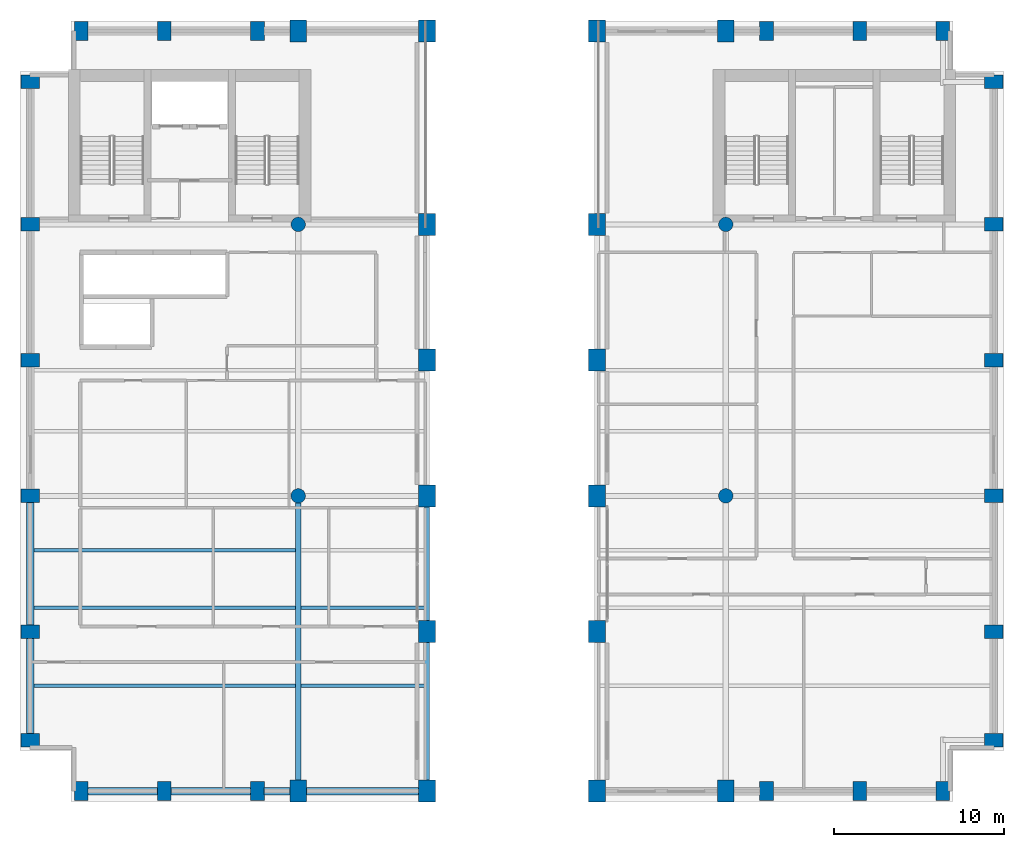
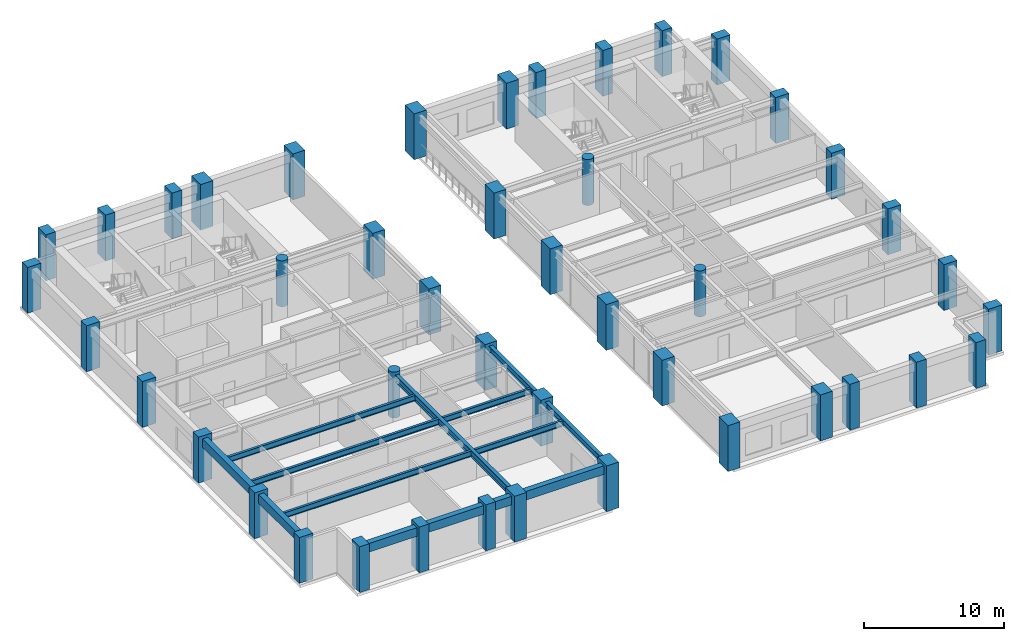
# One storey, part 1 of 10: 44 columns, 13 beams.
"""IFC4 building model written with IfcOpenShell, lengths in metres."""

from ifc_helpers import new_model, si_unit, direction, frame, origin, origin_2d, place, context, subcontext, project, spatial, rectangle, circle, i_section, extrude, material, material_profile, profile_set, type_object, element, save


model = new_model("IFC4")

# Units and contexts
model_context = context("Model", 3, precision=1e-05, world=origin(), true_north=direction((0.0, 1.0)))
body_context = subcontext(model_context, "Body", "Model", "MODEL_VIEW")
ifc_project = project(units=[si_unit("LENGTHUNIT", "METRE"), si_unit("AREAUNIT", "SQUARE_METRE"), si_unit("VOLUMEUNIT", "CUBIC_METRE"), si_unit("PLANEANGLEUNIT", "RADIAN"), si_unit("MASSUNIT", "GRAM", prefix="KILO")], contexts=[model_context])

# Site, building, storey
site_placement = place(None, origin())
site = spatial("IfcSite", under=ifc_project, at=site_placement, CompositionType="ELEMENT")
building_placement = place(site_placement, origin())
building = spatial("IfcBuilding", under=site, at=building_placement, Name="Sulina Concourse Tower", CompositionType="ELEMENT")
storey_placement = place(building_placement, frame((0.0, 0.0, 190.60009765625)))
storey = spatial("IfcBuildingStorey", under=building, at=storey_placement, Name="L46", CompositionType="ELEMENT", Elevation=190.60009765625)

# Columns
ifc_material_1 = material(Name="Precast concrete C60/75", Category="concrete")
ifc_material_profile_1 = material_profile(ifc_material_1, rectangle(XDim=0.800048828125, YDim=1.10009765625, at=origin_2d()), Name="PC 800x1100")
ifc_profile_set_1 = profile_set([ifc_material_profile_1], Name="Precast concrete C60/75")
column_type_1 = type_object("IfcColumnType", Name="Precast Tube Pier Zone 3 800x1100", PredefinedType="COLUMN", material=ifc_profile_set_1)
for number, where, z_axis, x_axis, name in (
    (1, (3.60009765625, 0.60009765625, 0.0), (0.0, 0.0, 1.0), (1.0, 0.0, 0.0), "L46 structural column TP-S-36"),
    (2, (3.60009765625, 45.39990234375, 0.0), (0.0, 0.0, 1.0), (1.0, 0.0, 0.0), "L46 structural column TP-N-36"),
    (3, (8.5, 0.60009765625, 0.0), (0.0, 0.0, 1.0), (1.0, 0.0, 0.0), "L46 structural column TP-S-85"),
    (4, (8.5, 45.39990234375, 0.0), (0.0, 0.0, 1.0), (1.0, 0.0, 0.0), "L46 structural column TP-N-85"),
    (5, (14.0, 0.60009765625, 0.0), (0.0, 0.0, 1.0), (1.0, 0.0, 0.0), "L46 structural column TP-S-140"),
    (6, (14.0, 45.39990234375, 0.0), (0.0, 0.0, 1.0), (1.0, 0.0, 0.0), "L46 structural column TP-N-140"),
    (7, (44.0, 0.60009765625, 0.0), (0.0, 0.0, 1.0), (1.0, 0.0, 0.0), "L46 structural column TP-S-440"),
    (8, (44.0, 45.39990234375, 0.0), (0.0, 0.0, 1.0), (1.0, 0.0, 0.0), "L46 structural column TP-N-440"),
    (9, (49.5, 0.60009765625, 0.0), (0.0, 0.0, 1.0), (1.0, 0.0, 0.0), "L46 structural column TP-S-495"),
    (10, (49.5, 45.39990234375, 0.0), (0.0, 0.0, 1.0), (1.0, 0.0, 0.0), "L46 structural column TP-N-495"),
    (11, (54.39990234375, 0.60009765625, 0.0), (0.0, 0.0, 1.0), (1.0, 0.0, 0.0), "L46 structural column TP-S-544"),
    (12, (54.39990234375, 45.39990234375, 0.0), (0.0, 0.0, 1.0), (1.0, 0.0, 0.0), "L46 structural column TP-N-544"),
    (13, (0.60009765625, 3.60009765625, 0.0), (0.0, 0.0, 1.0), (0.0, 1.0, 0.0), "L46 structural column TP-W-36"),
    (14, (57.39990234375, 3.60009765625, 0.0), (0.0, 0.0, 1.0), (0.0, 1.0, 0.0), "L46 structural column TP-E-36"),
    (15, (0.60009765625, 10.0, 0.0), (0.0, 0.0, 1.0), (0.0, 1.0, 0.0), "L46 structural column TP-W-100"),
    (16, (57.39990234375, 10.0, 0.0), (0.0, 0.0, 1.0), (0.0, 1.0, 0.0), "L46 structural column TP-E-100"),
    (17, (0.60009765625, 18.0, 0.0), (0.0, 0.0, 1.0), (0.0, 1.0, 0.0), "L46 structural column TP-W-180"),
    (18, (57.39990234375, 18.0, 0.0), (0.0, 0.0, 1.0), (0.0, 1.0, 0.0), "L46 structural column TP-E-180"),
    (19, (0.60009765625, 26.0, 0.0), (0.0, 0.0, 1.0), (0.0, 1.0, 0.0), "L46 structural column TP-W-260"),
    (20, (57.39990234375, 26.0, 0.0), (0.0, 0.0, 1.0), (0.0, 1.0, 0.0), "L46 structural column TP-E-260"),
    (21, (0.60009765625, 34.0, 0.0), (0.0, 0.0, 1.0), (0.0, 1.0, 0.0), "L46 structural column TP-W-340"),
    (22, (57.39990234375, 34.0, 0.0), (0.0, 0.0, 1.0), (0.0, 1.0, 0.0), "L46 structural column TP-E-340"),
    (23, (0.60009765625, 42.39990234375, 0.0), (0.0, 0.0, 1.0), (0.0, 1.0, 0.0), "L46 structural column TP-W-424"),
    (24, (57.39990234375, 42.39990234375, 0.0), (0.0, 0.0, 1.0), (0.0, 1.0, 0.0), "L46 structural column TP-E-424"),
):
    element("IfcColumn", number, at=place(storey_placement, frame(where, z_axis=z_axis, x_axis=x_axis)), inside=storey, type_object=column_type_1, Name=name, PredefinedType="COLUMN", context=body_context, shape_type="SweptSolid", body=[
        extrude(rectangle(XDim=0.800048828125, YDim=1.10009765625, at=origin_2d()), origin(), (0.0, 0.0, 1.0), 4.0),
    ])
ifc_material_2 = material(Name="Concrete C50/60", Category="concrete")
ifc_material_profile_2 = material_profile(ifc_material_2, circle(Radius=0.425048828125, at=origin_2d()), Name="RC D850")
ifc_profile_set_2 = profile_set([ifc_material_profile_2], Name="Concrete C50/60")
column_type_2 = type_object("IfcColumnType", Name="Upper Interior Circular Column D850", PredefinedType="COLUMN", material=ifc_profile_set_2)
for number, where, z_axis, x_axis, name in (
    (25, (16.39990234375, 18.0, 0.0), (0.0, 0.0, 1.0), (1.0, 0.0, 0.0), "L46 structural column IC-M-164"),
    (26, (16.39990234375, 34.0, 0.0), (0.0, 0.0, 1.0), (1.0, 0.0, 0.0), "L46 structural column IC-N-164"),
    (27, (41.60009765625, 18.0, 0.0), (0.0, 0.0, 1.0), (1.0, 0.0, 0.0), "L46 structural column IC-M-416"),
    (28, (41.60009765625, 34.0, 0.0), (0.0, 0.0, 1.0), (1.0, 0.0, 0.0), "L46 structural column IC-N-416"),
):
    element("IfcColumn", number, at=place(storey_placement, frame(where, z_axis=z_axis, x_axis=x_axis)), inside=storey, type_object=column_type_2, Name=name, PredefinedType="COLUMN", context=body_context, shape_type="SweptSolid", body=[
        extrude(circle(Radius=0.425048828125, at=origin_2d()), origin(), (0.0, 0.0, 1.0), 4.0),
    ])
ifc_material_3 = material(Name="Concrete C60/75", Category="concrete")
ifc_material_profile_3 = material_profile(ifc_material_3, rectangle(XDim=1.0, YDim=1.300048828125, at=origin_2d()), Name="RC 1000x1300")
ifc_profile_set_3 = profile_set([ifc_material_profile_3], Name="Concrete C60/75")
column_type_3 = type_object("IfcColumnType", Name="Upper Portal Column 1000x1300", PredefinedType="COLUMN", material=ifc_profile_set_3)
for number, where, z_axis, x_axis, name in (
    (29, (16.39990234375, 0.60009765625, 0.0), (0.0, 0.0, 1.0), (1.0, 0.0, 0.0), "L46 structural column TP-S-164"),
    (30, (16.39990234375, 45.39990234375, 0.0), (0.0, 0.0, 1.0), (1.0, 0.0, 0.0), "L46 structural column TP-N-164"),
    (31, (24.0, 0.60009765625, 0.0), (0.0, 0.0, 1.0), (1.0, 0.0, 0.0), "L46 structural column TP-S-240"),
    (32, (24.0, 45.39990234375, 0.0), (0.0, 0.0, 1.0), (1.0, 0.0, 0.0), "L46 structural column TP-N-240"),
    (33, (34.0, 0.60009765625, 0.0), (0.0, 0.0, 1.0), (1.0, 0.0, 0.0), "L46 structural column TP-S-340"),
    (34, (34.0, 45.39990234375, 0.0), (0.0, 0.0, 1.0), (1.0, 0.0, 0.0), "L46 structural column TP-N-340"),
    (35, (41.60009765625, 0.60009765625, 0.0), (0.0, 0.0, 1.0), (1.0, 0.0, 0.0), "L46 structural column TP-S-416"),
    (36, (41.60009765625, 45.39990234375, 0.0), (0.0, 0.0, 1.0), (1.0, 0.0, 0.0), "L46 structural column TP-N-416"),
    (37, (24.0, 10.0, 0.0), (0.0, 0.0, 1.0), (1.0, 0.0, 0.0), "L46 structural column UP-FW-10"),
    (38, (34.0, 10.0, 0.0), (0.0, 0.0, 1.0), (1.0, 0.0, 0.0), "L46 structural column UP-FE-10"),
    (39, (24.0, 18.0, 0.0), (0.0, 0.0, 1.0), (1.0, 0.0, 0.0), "L46 structural column UP-FW-18"),
    (40, (34.0, 18.0, 0.0), (0.0, 0.0, 1.0), (1.0, 0.0, 0.0), "L46 structural column UP-FE-18"),
    (41, (24.0, 26.0, 0.0), (0.0, 0.0, 1.0), (1.0, 0.0, 0.0), "L46 structural column UP-FW-26"),
    (42, (34.0, 26.0, 0.0), (0.0, 0.0, 1.0), (1.0, 0.0, 0.0), "L46 structural column UP-FE-26"),
    (43, (24.0, 34.0, 0.0), (0.0, 0.0, 1.0), (1.0, 0.0, 0.0), "L46 structural column UP-FW-34"),
    (44, (34.0, 34.0, 0.0), (0.0, 0.0, 1.0), (1.0, 0.0, 0.0), "L46 structural column UP-FE-34"),
):
    element("IfcColumn", number, at=place(storey_placement, frame(where, z_axis=z_axis, x_axis=x_axis)), inside=storey, type_object=column_type_3, Name=name, PredefinedType="COLUMN", context=body_context, shape_type="SweptSolid", body=[
        extrude(rectangle(XDim=1.0, YDim=1.300048828125, at=origin_2d()), origin(), (0.0, 0.0, 1.0), 4.0),
    ])

# Beams
ifc_material_4 = material(Name="Steel S355", Category="steel")
ifc_material_profile_4 = material_profile(ifc_material_4, i_section(OverallWidth=0.199951171875, OverallDepth=0.5, WebThickness=0.01025390625, FlangeThickness=0.01611328125, at=origin_2d()), Name="IPE 500")
ifc_profile_set_4 = profile_set([ifc_material_profile_4], Name="Steel S355")
beam_type_1 = type_object("IfcBeamType", Name="Composite Floor Joist IPE500", PredefinedType="JOIST", material=ifc_profile_set_4)
beam_1_placement = place(storey_placement, frame((0.824951171875, 6.800048828125, 3.5), z_axis=(1.0, 0.0, 0.0), x_axis=(0.0, 1.0, 0.0)))
element("IfcBeam", 45, at=beam_1_placement, inside=storey, type_object=beam_type_1, Name="FJ-J06-1-L46", PredefinedType="JOIST", context=body_context, shape_type="SweptSolid", body=[
    extrude(i_section(OverallWidth=0.199951171875, OverallDepth=0.5, WebThickness=0.01025390625, FlangeThickness=0.01611328125, at=origin_2d()), origin(), (0.0, 0.0, 1.0), 15.425048828125),
])
beam_2_placement = place(storey_placement, frame((16.550048828125, 6.800048828125, 3.5), z_axis=(1.0, 0.0, 0.0), x_axis=(0.0, 1.0, 0.0)))
element("IfcBeam", 46, at=beam_2_placement, inside=storey, type_object=beam_type_1, Name="FJ-J06-2-L46", PredefinedType="JOIST", context=body_context, shape_type="SweptSolid", body=[
    extrude(i_section(OverallWidth=0.199951171875, OverallDepth=0.5, WebThickness=0.01025390625, FlangeThickness=0.01611328125, at=origin_2d()), origin(), (0.0, 0.0, 1.0), 7.300048828125),
])
beam_3_placement = place(storey_placement, frame((0.824951171875, 11.39990234375, 3.5), z_axis=(1.0, 0.0, 0.0), x_axis=(0.0, 1.0, 0.0)))
element("IfcBeam", 47, at=beam_3_placement, inside=storey, type_object=beam_type_1, Name="FJ-J11-1-L46", PredefinedType="JOIST", context=body_context, shape_type="SweptSolid", body=[
    extrude(i_section(OverallWidth=0.199951171875, OverallDepth=0.5, WebThickness=0.01025390625, FlangeThickness=0.01611328125, at=origin_2d()), origin(), (0.0, 0.0, 1.0), 15.425048828125),
])
beam_4_placement = place(storey_placement, frame((16.550048828125, 11.39990234375, 3.5), z_axis=(1.0, 0.0, 0.0), x_axis=(0.0, 1.0, 0.0)))
element("IfcBeam", 48, at=beam_4_placement, inside=storey, type_object=beam_type_1, Name="FJ-J11-2-L46", PredefinedType="JOIST", context=body_context, shape_type="SweptSolid", body=[
    extrude(i_section(OverallWidth=0.199951171875, OverallDepth=0.5, WebThickness=0.01025390625, FlangeThickness=0.01611328125, at=origin_2d()), origin(), (0.0, 0.0, 1.0), 7.300048828125),
])
beam_5_placement = place(storey_placement, frame((0.824951171875, 14.800048828125, 3.5), z_axis=(1.0, 0.0, 0.0), x_axis=(0.0, 1.0, 0.0)))
element("IfcBeam", 49, at=beam_5_placement, inside=storey, type_object=beam_type_1, Name="FJ-J15-1-L46", PredefinedType="JOIST", context=body_context, shape_type="SweptSolid", body=[
    extrude(i_section(OverallWidth=0.199951171875, OverallDepth=0.5, WebThickness=0.01025390625, FlangeThickness=0.01611328125, at=origin_2d()), origin(), (0.0, 0.0, 1.0), 15.425048828125),
])
ifc_material_5 = material(Name="Steel S355", Category="steel")
ifc_material_profile_5 = material_profile(ifc_material_5, i_section(OverallWidth=0.300048828125, OverallDepth=0.60009765625, WebThickness=0.015380859375, FlangeThickness=0.030029296875, at=origin_2d()), Name="HE 600 B")
ifc_profile_set_5 = profile_set([ifc_material_profile_5], Name="Steel S355")
beam_type_2 = type_object("IfcBeamType", Name="Floor Primary Girder Zone 3 HE600B", PredefinedType="BEAM", material=ifc_profile_set_5)
beam_6_placement = place(storey_placement, frame((16.39990234375, 1.080078125, 3.449951171875), z_axis=(0.0, 1.0, 0.0), x_axis=(-1.0, 0.0, 0.0)))
element("IfcBeam", 50, at=beam_6_placement, inside=storey, type_object=beam_type_2, Name="FG-NSA-16-L46", PredefinedType="BEAM", context=body_context, shape_type="SweptSolid", body=[
    extrude(i_section(OverallWidth=0.300048828125, OverallDepth=0.60009765625, WebThickness=0.015380859375, FlangeThickness=0.030029296875, at=origin_2d()), origin(), (0.0, 0.0, 1.0), 16.514892578125),
])
beam_7_placement = place(storey_placement, frame((24.0, 1.080078125, 3.449951171875), z_axis=(0.0, 1.0, 0.0), x_axis=(-1.0, 0.0, 0.0)))
element("IfcBeam", 51, at=beam_7_placement, inside=storey, type_object=beam_type_2, Name="FG-NSA-24-L46", PredefinedType="BEAM", context=body_context, shape_type="SweptSolid", body=[
    extrude(i_section(OverallWidth=0.300048828125, OverallDepth=0.60009765625, WebThickness=0.015380859375, FlangeThickness=0.030029296875, at=origin_2d()), origin(), (0.0, 0.0, 1.0), 16.43994140625),
])
ifc_material_6 = material(Name="Precast concrete C50/60", Category="concrete")
ifc_material_profile_6 = material_profile(ifc_material_6, rectangle(XDim=0.449951171875, YDim=0.75, at=origin_2d()), Name="RC 450x750")
ifc_profile_set_6 = profile_set([ifc_material_profile_6], Name="Precast concrete C50/60")
beam_type_3 = type_object("IfcBeamType", Name="Upper Precast Spandrel Edge Beam 450x750", PredefinedType="BEAM", material=ifc_profile_set_6)
beam_8_placement = place(storey_placement, frame((3.97998046875, 0.60009765625, 3.375), z_axis=(1.0, 0.0, 0.0), x_axis=(0.0, 1.0, 0.0)))
element("IfcBeam", 52, at=beam_8_placement, inside=storey, type_object=beam_type_3, Name="SP-S1-L46", PredefinedType="BEAM", context=body_context, shape_type="SweptSolid", body=[
    extrude(rectangle(XDim=0.449951171875, YDim=0.75, at=origin_2d()), origin(), (0.0, 0.0, 1.0), 4.14013671875),
])
beam_9_placement = place(storey_placement, frame((8.8798828125, 0.60009765625, 3.375), z_axis=(1.0, 0.0, 0.0), x_axis=(0.0, 1.0, 0.0)))
element("IfcBeam", 53, at=beam_9_placement, inside=storey, type_object=beam_type_3, Name="SP-S2-L46", PredefinedType="BEAM", context=body_context, shape_type="SweptSolid", body=[
    extrude(rectangle(XDim=0.449951171875, YDim=0.75, at=origin_2d()), origin(), (0.0, 0.0, 1.0), 4.740234375),
])
beam_10_placement = place(storey_placement, frame((14.3798828125, 0.60009765625, 3.375), z_axis=(1.0, 0.0, 0.0), x_axis=(0.0, 1.0, 0.0)))
element("IfcBeam", 54, at=beam_10_placement, inside=storey, type_object=beam_type_3, Name="SP-S3-L46", PredefinedType="BEAM", context=body_context, shape_type="SweptSolid", body=[
    extrude(rectangle(XDim=0.449951171875, YDim=0.75, at=origin_2d()), origin(), (0.0, 0.0, 1.0), 1.5400390625),
])
beam_11_placement = place(storey_placement, frame((16.8798828125, 0.60009765625, 3.375), z_axis=(1.0, 0.0, 0.0), x_axis=(0.0, 1.0, 0.0)))
element("IfcBeam", 55, at=beam_11_placement, inside=storey, type_object=beam_type_3, Name="SP-S4-L46", PredefinedType="BEAM", context=body_context, shape_type="SweptSolid", body=[
    extrude(rectangle(XDim=0.449951171875, YDim=0.75, at=origin_2d()), origin(), (0.0, 0.0, 1.0), 6.64013671875),
])
beam_12_placement = place(storey_placement, frame((0.60009765625, 3.97998046875, 3.375), z_axis=(0.0, 1.0, 0.0), x_axis=(-1.0, 0.0, 0.0)))
element("IfcBeam", 56, at=beam_12_placement, inside=storey, type_object=beam_type_3, Name="SP-W1-L46", PredefinedType="BEAM", context=body_context, shape_type="SweptSolid", body=[
    extrude(rectangle(XDim=0.449951171875, YDim=0.75, at=origin_2d()), origin(), (0.0, 0.0, 1.0), 5.64013671875),
])
beam_13_placement = place(storey_placement, frame((0.60009765625, 10.3798828125, 3.375), z_axis=(0.0, 1.0, 0.0), x_axis=(-1.0, 0.0, 0.0)))
element("IfcBeam", 57, at=beam_13_placement, inside=storey, type_object=beam_type_3, Name="SP-W2-L46", PredefinedType="BEAM", context=body_context, shape_type="SweptSolid", body=[
    extrude(rectangle(XDim=0.449951171875, YDim=0.75, at=origin_2d()), origin(), (0.0, 0.0, 1.0), 7.240234375),
])

save(model, "model.ifc")
